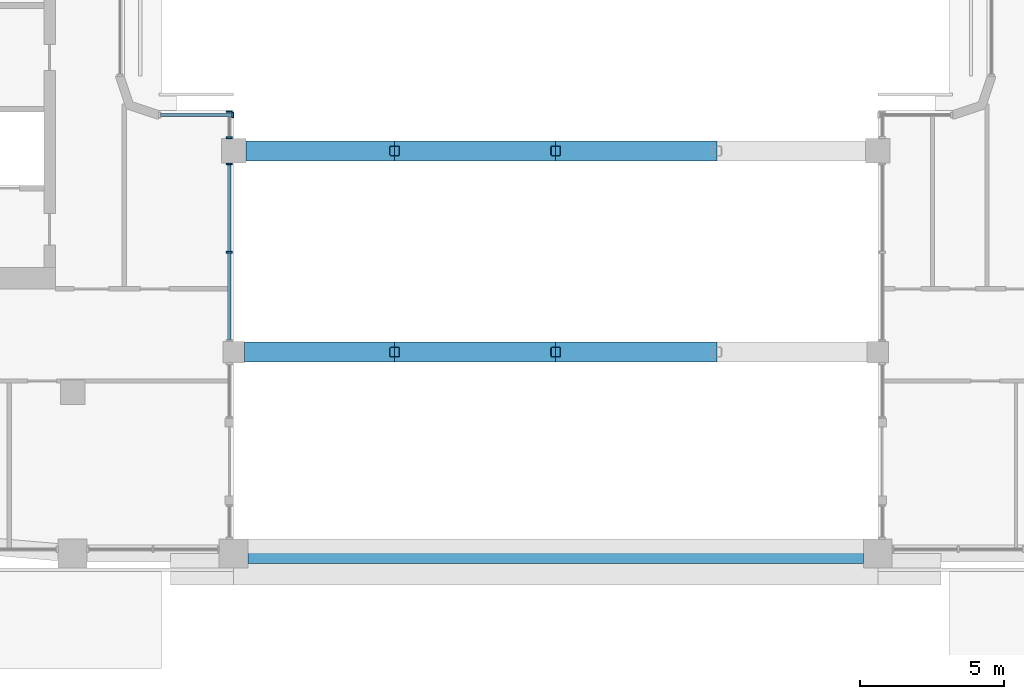
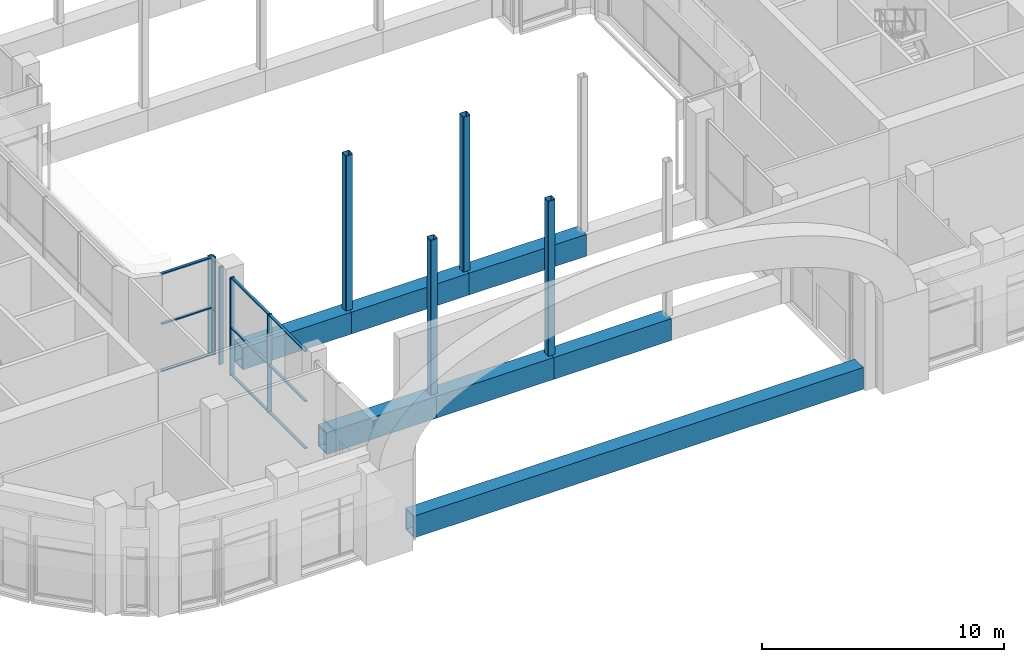
# One storey, part 3 of 28: 25 members, 3 elements without a shape of their own.
"""IFC4 building model written with IfcOpenShell, lengths in metres."""

from ifc_helpers import new_model, si_unit, direction, frame, origin, origin_2d, place, context, subcontext, project, spatial, rectangle, hollow_rectangle, extrude, material, layer, layer_set, material_profile, profile_set, type_object, element, aggregate, save


model = new_model("IFC4")

# Units and contexts
model_context = context("Model", 3, precision=1e-05, world=origin(), true_north=direction((0.0, 1.0)))
body_context = subcontext(model_context, "Body", "Model", "MODEL_VIEW")
ifc_project = project(units=[si_unit("LENGTHUNIT", "METRE"), si_unit("AREAUNIT", "SQUARE_METRE"), si_unit("VOLUMEUNIT", "CUBIC_METRE"), si_unit("PLANEANGLEUNIT", "RADIAN"), si_unit("MASSUNIT", "GRAM", prefix="KILO")], contexts=[model_context])

# Site, building, storey
site_placement = place(None, origin())
site = spatial("IfcSite", under=ifc_project, at=site_placement, CompositionType="ELEMENT")
building_placement = place(site_placement, origin())
building = spatial("IfcBuilding", under=site, at=building_placement, Name="Kiln Ring Residences", CompositionType="ELEMENT")
storey_placement = place(building_placement, frame((0.0, 0.0, 178.10009765625)))
storey = spatial("IfcBuildingStorey", under=building, at=storey_placement, Name="L46", CompositionType="ELEMENT", Elevation=178.10009765625)

# Members
ifc_material_1 = material(Name="Steel S460", Category="steel")
ifc_material_profile_1 = material_profile(ifc_material_1, hollow_rectangle(XDim=0.699951171875, YDim=1.10009765625, WallThickness=0.06005859375, at=origin_2d()), Name="BOX1100x700x60")
ifc_profile_set_1 = profile_set([ifc_material_profile_1], Name="Steel S460")
member_type_1 = type_object("IfcMemberType", Name="Bridge truss chord BOX1100x700x60 S460", PredefinedType="CHORD", material=ifc_profile_set_1)
member_1_placement = place(storey_placement, frame((-10.699951171875, -22.39990234375, 0.5498046875), z_axis=(1.0, 0.0, 0.0), x_axis=(0.0, 1.0, 0.0)))
element("IfcMember", 1, at=member_1_placement, inside=storey, type_object=member_type_1, Name="Bridge truss chord L46 1", PredefinedType="CHORD", context=body_context, shape_type="SweptSolid", body=[
    extrude(hollow_rectangle(XDim=0.699951171875, YDim=1.10009765625, WallThickness=0.06005859375, at=origin_2d()), origin(), (0.0, 0.0, 1.0), 21.39990234375),
])
member_2_placement = place(storey_placement, frame((-10.824951171875, -15.39990234375, 0.5498046875), z_axis=(1.0, 0.0, 0.0), x_axis=(0.0, 1.0, 0.0)))
element("IfcMember", 2, at=member_2_placement, inside=storey, type_object=member_type_1, Name="Bridge truss chord L46 2", PredefinedType="CHORD", context=body_context, shape_type="SweptSolid", body=[
    extrude(hollow_rectangle(XDim=0.699951171875, YDim=1.10009765625, WallThickness=0.06005859375, at=origin_2d()), origin(), (0.0, 0.0, 1.0), 5.224853515625),
])
for number, where, z_axis, x_axis, name in (
    (3, (-5.60009765625, -15.39990234375, 0.5498046875), (1.0, 0.0, 0.0), (0.0, 1.0, 0.0), "Bridge truss chord L46 3"),
    (4, (0.0, -15.39990234375, 0.5498046875), (1.0, 0.0, 0.0), (0.0, 1.0, 0.0), "Bridge truss chord L46 4"),
):
    element("IfcMember", number, at=place(storey_placement, frame(where, z_axis=z_axis, x_axis=x_axis)), inside=storey, type_object=member_type_1, Name=name, PredefinedType="CHORD", context=body_context, shape_type="SweptSolid", body=[
        extrude(hollow_rectangle(XDim=0.699951171875, YDim=1.10009765625, WallThickness=0.06005859375, at=origin_2d()), origin(), (0.0, 0.0, 1.0), 5.60009765625),
    ])
member_3_placement = place(storey_placement, frame((-10.77490234375, -8.39990234375, 0.5498046875), z_axis=(1.0, 0.0, 0.0), x_axis=(0.0, 1.0, 0.0)))
element("IfcMember", 5, at=member_3_placement, inside=storey, type_object=member_type_1, Name="Bridge truss chord L46 6", PredefinedType="CHORD", context=body_context, shape_type="SweptSolid", body=[
    extrude(hollow_rectangle(XDim=0.699951171875, YDim=1.10009765625, WallThickness=0.06005859375, at=origin_2d()), origin(), (0.0, 0.0, 1.0), 5.1748046875),
])
for number, where, z_axis, x_axis, name in (
    (6, (-5.60009765625, -8.39990234375, 0.5498046875), (1.0, 0.0, 0.0), (0.0, 1.0, 0.0), "Bridge truss chord L46 7"),
    (7, (0.0, -8.39990234375, 0.5498046875), (1.0, 0.0, 0.0), (0.0, 1.0, 0.0), "Bridge truss chord L46 8"),
):
    element("IfcMember", number, at=place(storey_placement, frame(where, z_axis=z_axis, x_axis=x_axis)), inside=storey, type_object=member_type_1, Name=name, PredefinedType="CHORD", context=body_context, shape_type="SweptSolid", body=[
        extrude(hollow_rectangle(XDim=0.699951171875, YDim=1.10009765625, WallThickness=0.06005859375, at=origin_2d()), origin(), (0.0, 0.0, 1.0), 5.60009765625),
    ])
ifc_material_2 = material(Name="Steel S355", Category="steel")
ifc_material_profile_2 = material_profile(ifc_material_2, hollow_rectangle(XDim=0.35009765625, YDim=0.35009765625, WallThickness=0.02001953125, InnerFilletRadius=0.02001953125, OuterFilletRadius=0.050048828125, at=origin_2d()), Name="SHS350x350x20")
ifc_profile_set_2 = profile_set([ifc_material_profile_2], Name="Steel S355")
member_type_2 = type_object("IfcMemberType", Name="Bridge truss post SHS350x350x20 S355", PredefinedType="POST", material=ifc_profile_set_2)
for number, where, z_axis, x_axis, name in (
    (8, (-5.60009765625, -15.39990234375, 1.099853515625), (0.0, 0.0, 1.0), (1.0, 0.0, 0.0), "Bridge truss post L46 1"),
    (9, (0.0, -15.39990234375, 1.099853515625), (0.0, 0.0, 1.0), (1.0, 0.0, 0.0), "Bridge truss post L46 2"),
    (10, (-5.60009765625, -8.39990234375, 1.099853515625), (0.0, 0.0, 1.0), (1.0, 0.0, 0.0), "Bridge truss post L46 4"),
    (11, (0.0, -8.39990234375, 1.099853515625), (0.0, 0.0, 1.0), (1.0, 0.0, 0.0), "Bridge truss post L46 5"),
):
    element("IfcMember", number, at=place(storey_placement, frame(where, z_axis=z_axis, x_axis=x_axis)), inside=storey, type_object=member_type_2, Name=name, PredefinedType="POST", context=body_context, shape_type="SweptSolid", body=[
        extrude(hollow_rectangle(XDim=0.35009765625, YDim=0.35009765625, WallThickness=0.02001953125, InnerFilletRadius=0.02001953125, OuterFilletRadius=0.050048828125, at=origin_2d()), origin(), (0.0, 0.0, 1.0), 7.800048828125),
    ])

# Curtain wall, members
ifc_material_3 = material(Name="Aluminium and glass", Category="aluminium")
ifc_layer = layer(ifc_material_3, 0.199951171875)
ifc_layer_set = layer_set([ifc_layer], Name="CW1 CURTAIN WALL")
curtain_wall_type = type_object("IfcCurtainWallType", Name="CW1 CURTAIN WALL", PredefinedType="NOTDEFINED", material=ifc_layer_set)
placement = place(storey_placement, origin())
curtain_wall_1 = element("IfcCurtainWall", 12, at=placement, inside=storey, type_object=curtain_wall_type, Name="Curtain wall CW1 L46", PredefinedType="NOTDEFINED")
ifc_material_4 = material(Name="Aluminium 6063-T6", Category="aluminium")
ifc_material_profile_3 = material_profile(ifc_material_4, rectangle(XDim=0.199951171875, YDim=0.06005859375, at=origin_2d()), Name="AL 200x60")
ifc_profile_set_3 = profile_set([ifc_material_profile_3], Name="Aluminium 6063-T6")
member_type_3 = type_object("IfcMemberType", Name="CW1 MULLION 200 x 60", PredefinedType="MULLION", material=ifc_profile_set_3)
member_4_placement = place(storey_placement, frame((-11.35009765625, -11.925048828125, 0.0), z_axis=(0.0, 0.0, 1.0), x_axis=(-1.0, 0.0, 0.0)))
member_4 = element("IfcMember", 13, at=member_4_placement, type_object=member_type_3, Name="CW1 mullion 2", PredefinedType="MULLION", context=body_context, shape_type="SweptSolid", body=[
    extrude(rectangle(XDim=0.199951171875, YDim=0.06005859375, at=origin_2d()), origin(), (0.0, 0.0, 1.0), 4.949951171875),
])
member_5_placement = place(storey_placement, frame((-11.35009765625, -8.85498046875, 0.0), z_axis=(0.0, 0.0, 1.0), x_axis=(-1.0, 0.0, 0.0)))
member_5 = element("IfcMember", 14, at=member_5_placement, type_object=member_type_3, Name="CW1 mullion 3", PredefinedType="MULLION", context=body_context, shape_type="SweptSolid", body=[
    extrude(rectangle(XDim=0.199951171875, YDim=0.06005859375, at=origin_2d()), origin(), (0.0, 0.0, 1.0), 4.949951171875),
])

curtain_wall_2 = element("IfcCurtainWall", 15, at=placement, inside=storey, type_object=curtain_wall_type, Name="Curtain wall CW1 L46", PredefinedType="NOTDEFINED")
member_6_placement = place(storey_placement, frame((-11.35009765625, -7.945068359375, 0.0), z_axis=(0.0, 0.0, 1.0), x_axis=(-1.0, 0.0, 0.0)))
member_6 = element("IfcMember", 16, at=member_6_placement, type_object=member_type_3, Name="CW1 mullion 1", PredefinedType="MULLION", context=body_context, shape_type="SweptSolid", body=[
    extrude(rectangle(XDim=0.199951171875, YDim=0.06005859375, at=origin_2d()), origin(), (0.0, 0.0, 1.0), 4.949951171875),
])
member_7_placement = place(storey_placement, frame((-11.35009765625, -7.030029296875, 0.0), z_axis=(0.0, 0.0, 1.0), x_axis=(-1.0, 0.0, 0.0)))
member_7 = element("IfcMember", 17, at=member_7_placement, type_object=member_type_3, Name="CW1 mullion 2", PredefinedType="MULLION", context=body_context, shape_type="SweptSolid", body=[
    extrude(rectangle(XDim=0.199951171875, YDim=0.06005859375, at=origin_2d()), origin(), (0.0, 0.0, 1.0), 4.949951171875),
])
aggregate(curtain_wall_2, [member_6, member_7])

# Curtain wall, member
curtain_wall_3 = element("IfcCurtainWall", 18, at=placement, inside=storey, type_object=curtain_wall_type, Name="Curtain wall CW1 L46", PredefinedType="NOTDEFINED")
member_8_placement = place(storey_placement, frame((-11.22998046875, -7.14990234375, 0.0), z_axis=(0.0, 0.0, 1.0), x_axis=(0.0, -1.0, 0.0)))
member_8 = element("IfcMember", 19, at=member_8_placement, type_object=member_type_3, Name="CW1 mullion 1", PredefinedType="MULLION", context=body_context, shape_type="SweptSolid", body=[
    extrude(rectangle(XDim=0.199951171875, YDim=0.06005859375, at=origin_2d()), origin(), (0.0, 0.0, 1.0), 4.949951171875),
])

# Member
ifc_material_5 = material(Name="Aluminium 6063-T6", Category="aluminium")
ifc_material_profile_4 = material_profile(ifc_material_5, rectangle(XDim=0.1201171875, YDim=0.06005859375, at=origin_2d()), Name="AL 120x60")
ifc_profile_set_4 = profile_set([ifc_material_profile_4], Name="Aluminium 6063-T6")
member_type_4 = type_object("IfcMemberType", Name="CW1 TRANSOM 120 x 60", PredefinedType="USERDEFINED", material=ifc_profile_set_4)
member_9_placement = place(storey_placement, frame((-11.35009765625, -14.965087890625, 0.02978515625), z_axis=(0.0, 1.0, 0.0), x_axis=(-1.0, 0.0, 0.0)))
member_9 = element("IfcMember", 20, at=member_9_placement, type_object=member_type_4, Name="CW1 transom 1.1", ObjectType="TRANSOM", PredefinedType="USERDEFINED", context=body_context, shape_type="SweptSolid", body=[
    extrude(rectangle(XDim=0.1201171875, YDim=0.06005859375, at=origin_2d()), origin(), (0.0, 0.0, 1.0), 3.010009765625),
])

member_10_placement = place(storey_placement, frame((-11.35009765625, -14.965087890625, 2.39990234375), z_axis=(0.0, 1.0, 0.0), x_axis=(-1.0, 0.0, 0.0)))
member_10 = element("IfcMember", 21, at=member_10_placement, type_object=member_type_4, Name="CW1 transom 1.2", ObjectType="TRANSOM", PredefinedType="USERDEFINED", context=body_context, shape_type="SweptSolid", body=[
    extrude(rectangle(XDim=0.1201171875, YDim=0.06005859375, at=origin_2d()), origin(), (0.0, 0.0, 1.0), 3.010009765625),
])

member_11_placement = place(storey_placement, frame((-11.35009765625, -14.965087890625, 4.919921875), z_axis=(0.0, 1.0, 0.0), x_axis=(-1.0, 0.0, 0.0)))
member_11 = element("IfcMember", 22, at=member_11_placement, type_object=member_type_4, Name="CW1 transom 1.3", ObjectType="TRANSOM", PredefinedType="USERDEFINED", context=body_context, shape_type="SweptSolid", body=[
    extrude(rectangle(XDim=0.1201171875, YDim=0.06005859375, at=origin_2d()), origin(), (0.0, 0.0, 1.0), 3.010009765625),
])

member_12_placement = place(storey_placement, frame((-11.35009765625, -11.89501953125, 0.02978515625), z_axis=(0.0, 1.0, 0.0), x_axis=(-1.0, 0.0, 0.0)))
member_12 = element("IfcMember", 23, at=member_12_placement, type_object=member_type_4, Name="CW1 transom 2.1", ObjectType="TRANSOM", PredefinedType="USERDEFINED", context=body_context, shape_type="SweptSolid", body=[
    extrude(rectangle(XDim=0.1201171875, YDim=0.06005859375, at=origin_2d()), origin(), (0.0, 0.0, 1.0), 3.010009765625),
])

member_13_placement = place(storey_placement, frame((-11.35009765625, -11.89501953125, 2.39990234375), z_axis=(0.0, 1.0, 0.0), x_axis=(-1.0, 0.0, 0.0)))
member_13 = element("IfcMember", 24, at=member_13_placement, type_object=member_type_4, Name="CW1 transom 2.2", ObjectType="TRANSOM", PredefinedType="USERDEFINED", context=body_context, shape_type="SweptSolid", body=[
    extrude(rectangle(XDim=0.1201171875, YDim=0.06005859375, at=origin_2d()), origin(), (0.0, 0.0, 1.0), 3.010009765625),
])

member_14_placement = place(storey_placement, frame((-11.35009765625, -11.89501953125, 4.919921875), z_axis=(0.0, 1.0, 0.0), x_axis=(-1.0, 0.0, 0.0)))
member_14 = element("IfcMember", 25, at=member_14_placement, type_object=member_type_4, Name="CW1 transom 2.3", ObjectType="TRANSOM", PredefinedType="USERDEFINED", context=body_context, shape_type="SweptSolid", body=[
    extrude(rectangle(XDim=0.1201171875, YDim=0.06005859375, at=origin_2d()), origin(), (0.0, 0.0, 1.0), 3.010009765625),
])

aggregate(curtain_wall_1, [member_4, member_5, member_9, member_10, member_11, member_12, member_13, member_14])

member_15_placement = place(storey_placement, frame((-11.260009765625, -7.14990234375, 0.02978515625), z_axis=(-1.0, 0.0, 0.0), x_axis=(0.0, -1.0, 0.0)))
member_15 = element("IfcMember", 26, at=member_15_placement, type_object=member_type_4, Name="CW1 transom 1.1", ObjectType="TRANSOM", PredefinedType="USERDEFINED", context=body_context, shape_type="SweptSolid", body=[
    extrude(rectangle(XDim=0.1201171875, YDim=0.06005859375, at=origin_2d()), origin(), (0.0, 0.0, 1.0), 2.47998046875),
])

member_16_placement = place(storey_placement, frame((-11.260009765625, -7.14990234375, 2.39990234375), z_axis=(-1.0, 0.0, 0.0), x_axis=(0.0, -1.0, 0.0)))
member_16 = element("IfcMember", 27, at=member_16_placement, type_object=member_type_4, Name="CW1 transom 1.2", ObjectType="TRANSOM", PredefinedType="USERDEFINED", context=body_context, shape_type="SweptSolid", body=[
    extrude(rectangle(XDim=0.1201171875, YDim=0.06005859375, at=origin_2d()), origin(), (0.0, 0.0, 1.0), 2.47998046875),
])

member_17_placement = place(storey_placement, frame((-11.260009765625, -7.14990234375, 4.919921875), z_axis=(-1.0, 0.0, 0.0), x_axis=(0.0, -1.0, 0.0)))
member_17 = element("IfcMember", 28, at=member_17_placement, type_object=member_type_4, Name="CW1 transom 1.3", ObjectType="TRANSOM", PredefinedType="USERDEFINED", context=body_context, shape_type="SweptSolid", body=[
    extrude(rectangle(XDim=0.1201171875, YDim=0.06005859375, at=origin_2d()), origin(), (0.0, 0.0, 1.0), 2.47998046875),
])

aggregate(curtain_wall_3, [member_8, member_15, member_16, member_17])

save(model, "model.ifc")
